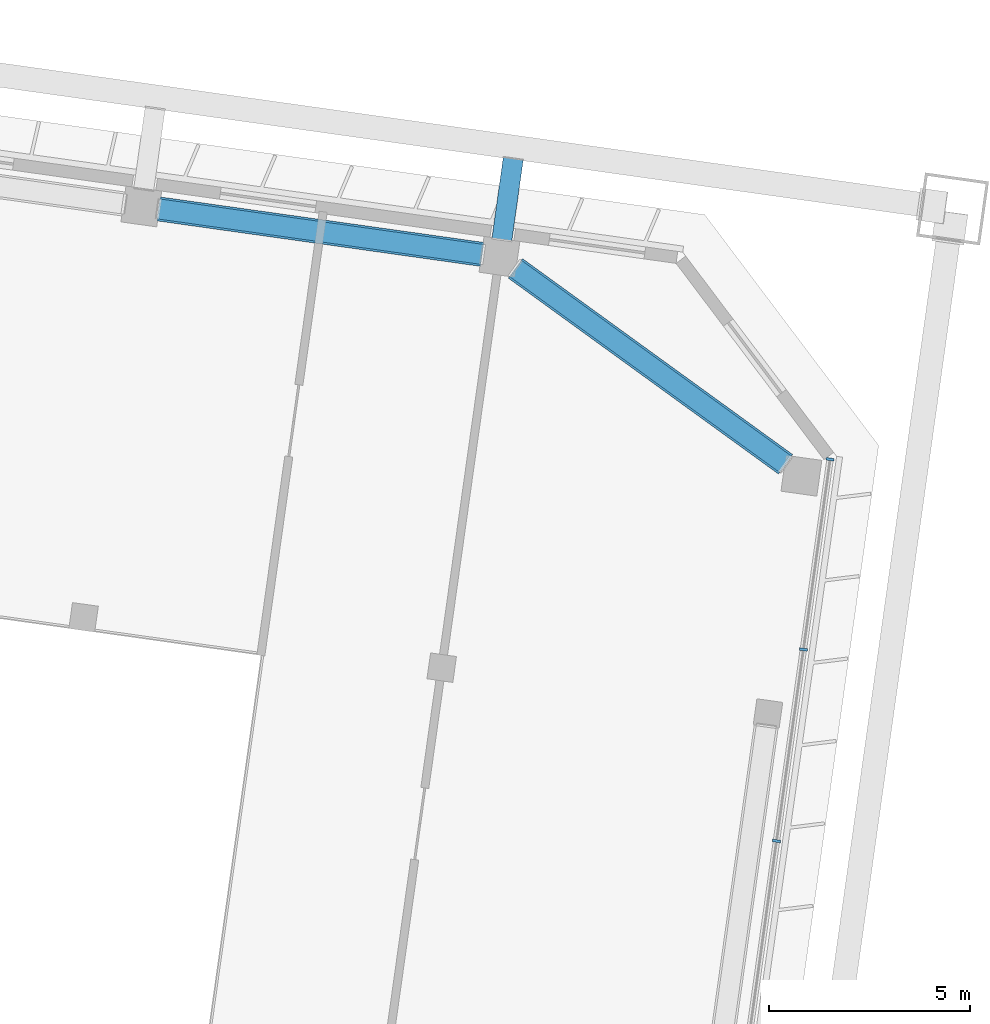
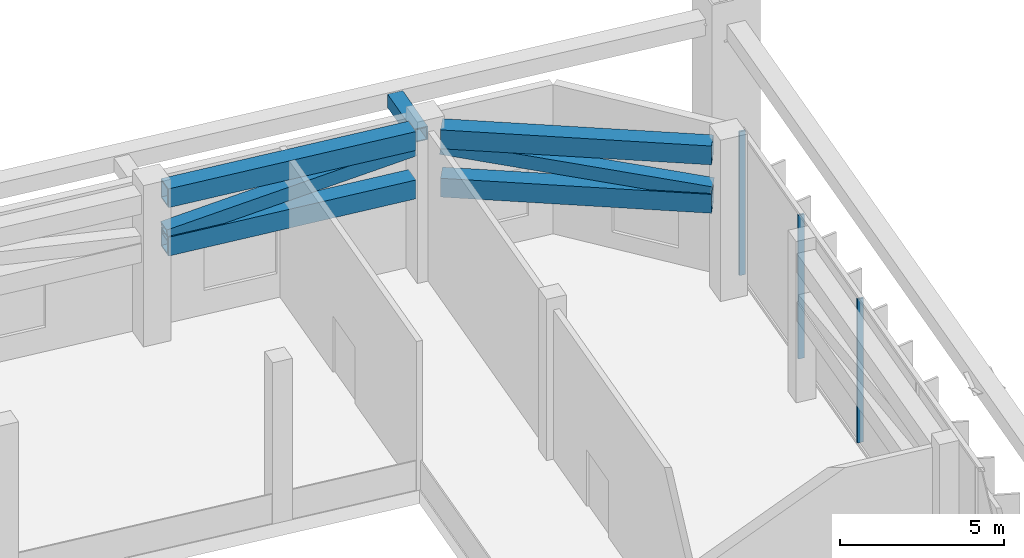
# One storey, part 9 of 41: 10 members, 1 element without a shape of its own.
"""IFC4 building model written with IfcOpenShell, lengths in metres."""

from ifc_helpers import new_model, si_unit, direction, frame, origin, origin_2d, place, context, subcontext, project, spatial, rectangle, hollow_rectangle, extrude, material, material_profile, profile_set, type_object, element, aggregate, save


model = new_model("IFC4")

# Units and contexts
model_context = context("Model", 3, precision=1e-05, world=origin(), true_north=direction((0.0, 1.0)))
body_context = subcontext(model_context, "Body", "Model", "MODEL_VIEW")
ifc_project = project(units=[si_unit("LENGTHUNIT", "METRE"), si_unit("AREAUNIT", "SQUARE_METRE"), si_unit("VOLUMEUNIT", "CUBIC_METRE"), si_unit("PLANEANGLEUNIT", "RADIAN"), si_unit("MASSUNIT", "GRAM", prefix="KILO")], contexts=[model_context])

# Site, building, storey
site_placement = place(None, origin())
site = spatial("IfcSite", under=ifc_project, at=site_placement, CompositionType="ELEMENT")
building_placement = place(site_placement, origin())
building = spatial("IfcBuilding", under=site, at=building_placement, Name="Mirante Cascada Hotel Towers", CompositionType="ELEMENT")
storey_placement = place(building_placement, frame((0.0, 0.0, 92.7)))
storey = spatial("IfcBuildingStorey", under=building, at=storey_placement, Name="L20", CompositionType="ELEMENT", Elevation=92.7)

# Members
ifc_material_1 = material(Name="Steel ASTM A572 Gr 50", Category="steel")
ifc_material_profile_1 = material_profile(ifc_material_1, hollow_rectangle(XDim=0.6, YDim=0.7, WallThickness=0.05, at=origin_2d()), Name="Box chord 700x600x50 ASTM A572 Gr 50")
ifc_profile_set_1 = profile_set([ifc_material_profile_1], Name="Steel ASTM A572 Gr 50")
member_type_1 = type_object("IfcMemberType", Name="Box chord 700x600x50 ASTM A572 Gr 50", PredefinedType="CHORD", material=ifc_profile_set_1)
for number, where, z_axis, x_axis, name in (
    (1, (-29.2539, 12.1633, 5.2), (-0.8095727, 0.5870197, 0.0), (-0.5870197, -0.8095727, 0.0), "belt T1 L20 1"),
    (2, (-29.2539, 12.1633, 3.4), (-0.8095727, 0.5870197, 0.0), (-0.5870197, -0.8095727, 0.0), "belt T1 L20 2"),
):
    element("IfcMember", number, at=place(storey_placement, frame(where, z_axis=z_axis, x_axis=x_axis)), inside=storey, type_object=member_type_1, Name=name, PredefinedType="CHORD", context=body_context, shape_type="SweptSolid", body=[
        extrude(hollow_rectangle(XDim=0.6, YDim=0.7, WallThickness=0.05, at=origin_2d()), origin(), (0.0, 0.0, 1.0), 8.3036),
    ])
for number, where, z_axis, x_axis, name in (
    (3, (-36.7983, 17.3848, 5.2), (-0.9902676, 0.1391765, 0.0), (-0.1391765, -0.9902676, 0.0), "belt T1 L20 4"),
    (4, (-36.7983, 17.3848, 3.4), (-0.9902676, 0.1391765, 0.0), (-0.1391765, -0.9902676, 0.0), "belt T1 L20 5"),
):
    element("IfcMember", number, at=place(storey_placement, frame(where, z_axis=z_axis, x_axis=x_axis)), inside=storey, type_object=member_type_1, Name=name, PredefinedType="CHORD", context=body_context, shape_type="SweptSolid", body=[
        extrude(hollow_rectangle(XDim=0.6, YDim=0.7, WallThickness=0.05, at=origin_2d()), origin(), (0.0, 0.0, 1.0), 8.14),
    ])
ifc_material_2 = material(Name="Steel ASTM A572 Gr 50", Category="steel")
ifc_material_profile_2 = material_profile(ifc_material_2, hollow_rectangle(XDim=0.5, YDim=0.5, WallThickness=0.035, at=origin_2d()), Name="Box diagonal 500x500x35 ASTM A572 Gr 50")
ifc_profile_set_2 = profile_set([ifc_material_profile_2], Name="Steel ASTM A572 Gr 50")
member_type_2 = type_object("IfcMemberType", Name="Box diagonal 500x500x35 ASTM A572 Gr 50", PredefinedType="BRACE", material=ifc_profile_set_2)
member_1_placement = place(storey_placement, frame((-29.2539, 12.1633, 3.75), z_axis=(-0.8025613, 0.5819357, 0.1313247), x_axis=(-0.5870197, -0.8095727, 0.0)))
element("IfcMember", 5, at=member_1_placement, inside=storey, type_object=member_type_2, Name="belt T1 L20 3", PredefinedType="BRACE", context=body_context, shape_type="SweptSolid", body=[
    extrude(hollow_rectangle(XDim=0.5, YDim=0.5, WallThickness=0.035, at=origin_2d()), origin(), (0.0, 0.0, 1.0), 8.3762),
])
member_2_placement = place(storey_placement, frame((-36.7983, 17.3848, 4.85), z_axis=(-0.9813477, 0.1379229, -0.1339175), x_axis=(-0.1391765, -0.9902676, 0.0)))
element("IfcMember", 6, at=member_2_placement, inside=storey, type_object=member_type_2, Name="belt T1 L20 6", PredefinedType="BRACE", context=body_context, shape_type="SweptSolid", body=[
    extrude(hollow_rectangle(XDim=0.5, YDim=0.5, WallThickness=0.035, at=origin_2d()), origin(), (0.0, 0.0, 1.0), 8.214),
])
ifc_material_3 = material(Name="Steel ASTM A572 Gr 50", Category="steel")
ifc_material_profile_3 = material_profile(ifc_material_3, hollow_rectangle(XDim=0.5, YDim=0.5, WallThickness=0.035, at=origin_2d()), Name="Box tie 500x500x35 ASTM A572 Gr 50")
ifc_profile_set_3 = profile_set([ifc_material_profile_3], Name="Steel ASTM A572 Gr 50")
member_type_3 = type_object("IfcMemberType", Name="Box tie 500x500x35 ASTM A572 Gr 50", PredefinedType="STRUT", material=ifc_profile_set_3)
member_3_placement = place(storey_placement, frame((-36.3127, 17.7508, 4.85), z_axis=(0.139218, 0.9902618, 0.0), x_axis=(-0.9902618, 0.139218, 0.0)))
element("IfcMember", 7, at=member_3_placement, inside=storey, type_object=member_type_3, Name="tie T1 L20 1", PredefinedType="STRUT", context=body_context, shape_type="SweptSolid", body=[
    extrude(hollow_rectangle(XDim=0.5, YDim=0.5, WallThickness=0.035, at=origin_2d()), origin(), (0.0, 0.0, 1.0), 2.04),
])

# Curtain wall, members
ifc_material_4 = material(Name="Aluminium mullion and transom frame with clear laminated glass", Category="aluminium")
curtain_wall_type = type_object("IfcCurtainWallType", Name="End ribbon curtain wall ECW2", PredefinedType="NOTDEFINED", material=ifc_material_4)
curtain_wall_placement = place(storey_placement, origin())
curtain_wall = element("IfcCurtainWall", 8, at=curtain_wall_placement, inside=storey, type_object=curtain_wall_type, Name="Inner end wall T1 L20", PredefinedType="NOTDEFINED")
ifc_material_5 = material(Name="Anodised aluminium extrusion", Category="aluminium")
ifc_material_profile_4 = material_profile(ifc_material_5, rectangle(XDim=0.2, YDim=0.065, at=origin_2d()), Name="ECW2 MULLION 65x200")
ifc_profile_set_4 = profile_set([ifc_material_profile_4], Name="Anodised aluminium extrusion")
member_type_4 = type_object("IfcMemberType", Name="ECW2 mullion 65x200", PredefinedType="MULLION", material=ifc_profile_set_4)
member_4_placement = place(storey_placement, frame((-28.1437, 12.2861, 0.1), z_axis=(0.0, 0.0, 1.0), x_axis=(0.9902681, -0.1391731, 0.0)))
member_4 = element("IfcMember", 9, at=member_4_placement, type_object=member_type_4, Name="ECW2 mullion 1", PredefinedType="MULLION", context=body_context, shape_type="SweptSolid", body=[
    extrude(rectangle(XDim=0.2, YDim=0.065, at=origin_2d()), origin(), (0.0, 0.0, 1.0), 5.35),
])
member_5_placement = place(storey_placement, frame((-28.809, 7.5524, 0.1), z_axis=(0.0, 0.0, 1.0), x_axis=(0.9902681, -0.1391731, 0.0)))
member_5 = element("IfcMember", 10, at=member_5_placement, type_object=member_type_4, Name="ECW2 mullion 2", PredefinedType="MULLION", context=body_context, shape_type="SweptSolid", body=[
    extrude(rectangle(XDim=0.2, YDim=0.065, at=origin_2d()), origin(), (0.0, 0.0, 1.0), 5.35),
])
member_6_placement = place(storey_placement, frame((-29.4788, 2.7867, 0.1), z_axis=(0.0, 0.0, 1.0), x_axis=(0.9902681, -0.1391731, 0.0)))
member_6 = element("IfcMember", 11, at=member_6_placement, type_object=member_type_4, Name="ECW2 mullion 3", PredefinedType="MULLION", context=body_context, shape_type="SweptSolid", body=[
    extrude(rectangle(XDim=0.2, YDim=0.065, at=origin_2d()), origin(), (0.0, 0.0, 1.0), 5.35),
])
aggregate(curtain_wall, [member_4, member_5, member_6])

save(model, "model.ifc")
